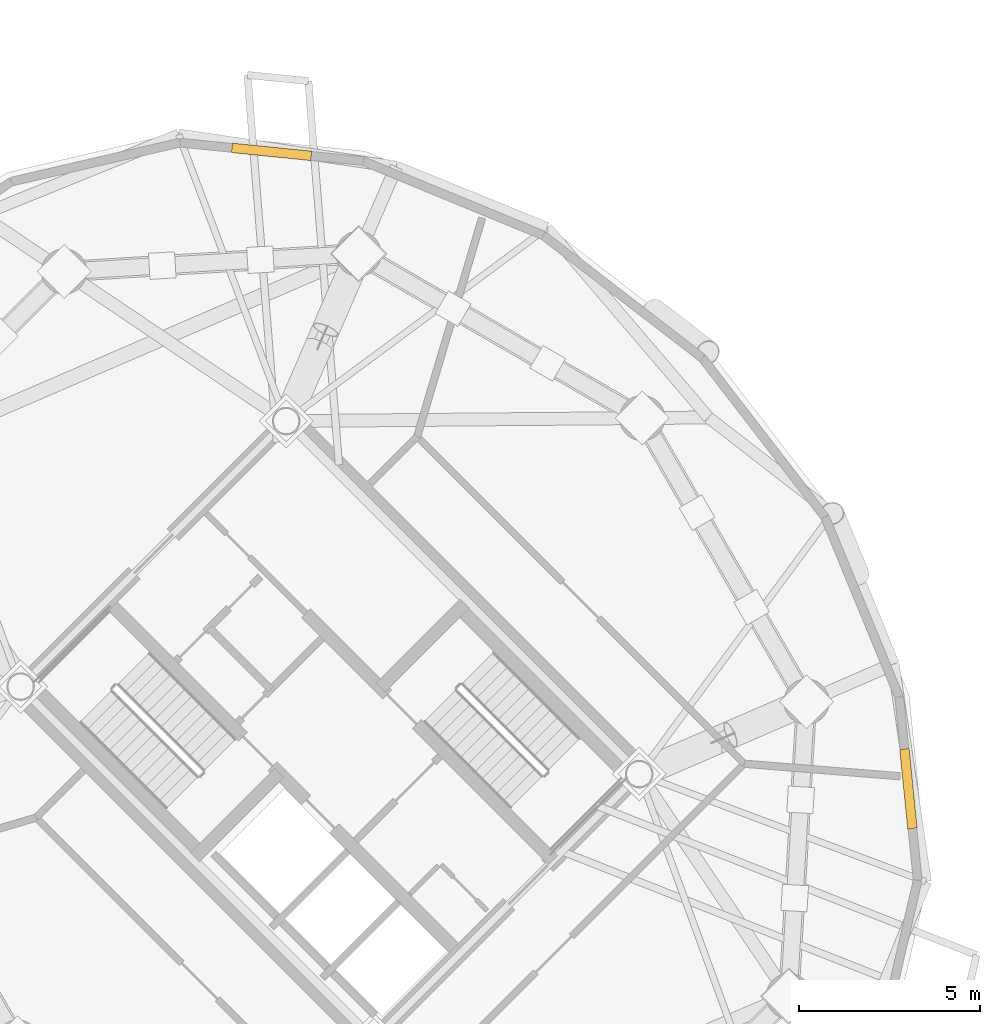
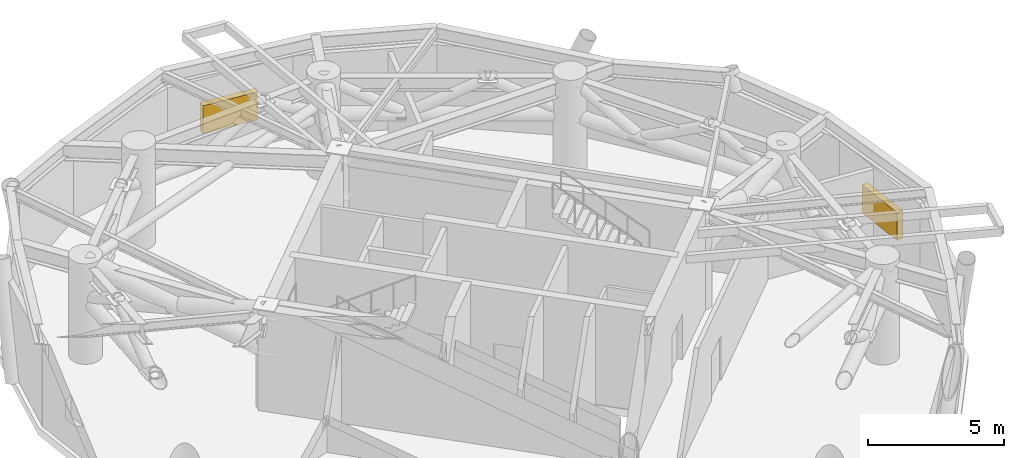
# One storey, part 16 of 16: 2 coverings.
"""IFC4 building model written with IfcOpenShell, lengths in metres."""

from ifc_helpers import new_model, si_unit, direction, frame, origin, origin_2d, place, context, subcontext, project, spatial, rectangle, extrude, source, transform, mapped, material, type_object, element, save


model = new_model("IFC4")

# Units and contexts
model_context = context("Model", 3, precision=1e-05, world=origin(), true_north=direction((0.0, 1.0)))
body_context = subcontext(model_context, "Body", "Model", "MODEL_VIEW")
ifc_project = project(units=[si_unit("LENGTHUNIT", "METRE"), si_unit("AREAUNIT", "SQUARE_METRE"), si_unit("VOLUMEUNIT", "CUBIC_METRE"), si_unit("PLANEANGLEUNIT", "RADIAN"), si_unit("MASSUNIT", "GRAM", prefix="KILO")], contexts=[model_context])

# Site, building, storey
site_placement = place(None, origin())
site = spatial("IfcSite", under=ifc_project, at=site_placement, CompositionType="ELEMENT")
building_placement = place(site_placement, origin())
building = spatial("IfcBuilding", under=site, at=building_placement, Name="Cununo Teusaquillo Station Towers", CompositionType="ELEMENT")
storey_placement = place(building_placement, frame((0.0, 0.0, 147.10009765625)))
storey = spatial("IfcBuildingStorey", under=building, at=storey_placement, Name="L46", CompositionType="ELEMENT", Elevation=147.10009765625)

# Coverings
ifc_material = material(Name="Anodised dark bronze aluminium EN AW-6063-T6", Category="aluminium")
covering_type = type_object("IfcCoveringType", Name="COV-LOUVRE-ACOUSTIC", PredefinedType="USERDEFINED", material=ifc_material)
shared_shape = source(origin(), body_context, "Body", "SweptSolid", [
    extrude(rectangle(XDim=2.199951171875, YDim=0.260009765625, at=origin_2d()), origin(), (0.0, 0.0, 1.0), 1.25),
])
for number, where, z_axis, x_axis, name in (
    (1, (55.892578125, 40.443603515625, 1.19287109375), (0.0, 0.0, 1.0), (0.994951016981, -0.100361714851, 0.0), "L46 Tower B Acoustic Plant Louvre C02"),
    (2, (73.443603515625, 22.892578125, 1.19287109375), (0.0, 0.0, 1.0), (0.100361714851, -0.994951016981, 0.0), "L46 Tower B Acoustic Plant Louvre C17"),
):
    element("IfcCovering", number, at=place(storey_placement, frame(where, z_axis=z_axis, x_axis=x_axis)), inside=storey, type_object=covering_type, Name=name, ObjectType="LOUVRE", PredefinedType="USERDEFINED", context=body_context, shape_type="MappedRepresentation", body=[
        mapped(shared_shape, transform((0.0, 0.0, 0.0), x_axis=(1.0, 0.0, 0.0), y_axis=(0.0, 1.0, 0.0), z_axis=(0.0, 0.0, 1.0), scale=1.0)),
    ])

save(model, "model.ifc")
